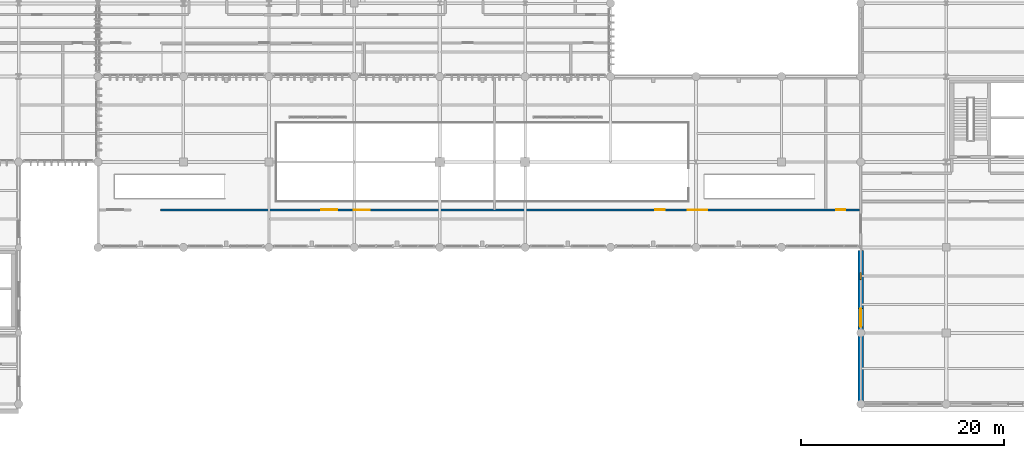
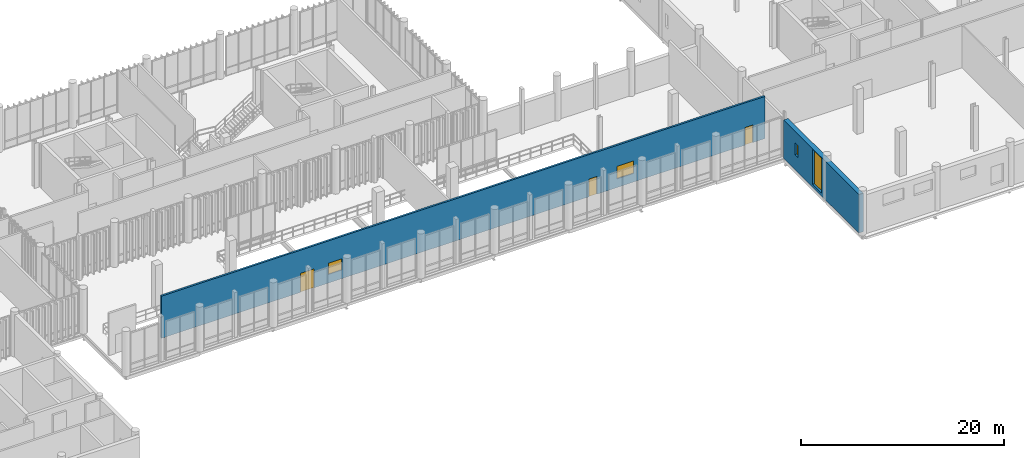
# One storey, part 107 of 128: 4 windows, 3 doors, 2 walls, 7 openings.
"""IFC4 building model written with IfcOpenShell, lengths in metres."""

import ifcopenshell
import ifcopenshell.guid

model = None  # the IFC model being written
_history = None  # IfcOwnerHistory: only IFC2X3 demands one
_inside = {}  # id of a spatial element -> (the spatial element, [elements in it])
_under = {}  # id of a project, library or spatial element -> (it, [spatial elements below it])
_declared = {}  # id of a project -> (the project, [libraries it declares])
_typed = {}  # id of a type object -> (the type object, [elements of that type])
_made_of = {}  # id of a material, layer set ... -> (it, [elements and type objects made of it])


def new_model(schema):
    """Start an empty IFC model of exactly this schema.

    Asked for "IFC4X3", IfcOpenShell would pick the latest addendum, in which some entities
    have other attributes; the version numbers below select the first issue.
    IFC2X3 requires an IfcOwnerHistory on every rooted entity: one is made here for all.
    """
    global model, _history
    if schema == "IFC4X3":
        model = ifcopenshell.file(schema_version=(4, 3, 0, 0))
    else:
        model = ifcopenshell.file(schema=schema)
    _inside.clear()
    _under.clear()
    _declared.clear()
    _typed.clear()
    _made_of.clear()
    _history = None
    if model.schema == "IFC2X3":
        org = make("IfcOrganization", Name="unknown")
        user = make(
            "IfcPersonAndOrganization",
            ThePerson=make("IfcPerson", FamilyName="unknown"),
            TheOrganization=org,
        )
        app = make(
            "IfcApplication",
            ApplicationDeveloper=org,
            Version="unknown",
            ApplicationFullName="unknown",
            ApplicationIdentifier="unknown",
        )
        _history = make(
            "IfcOwnerHistory",
            OwningUser=user,
            OwningApplication=app,
            ChangeAction="ADDED",
            CreationDate=0,
        )
    return model


def make(cls, **values):
    """One entity of the class cls with the attributes given. An attribute that is None is left unset."""
    return model.create_entity(
        cls, **{name: value for name, value in values.items() if value is not None}
    )


def rooted(cls, **values):
    """An entity with a GlobalId (a new one), such as an element, a storey or a relation."""
    return make(cls, GlobalId=ifcopenshell.guid.new(), OwnerHistory=_history, **values)


def si_unit(unit_type, name, prefix=None):
    """IfcSIUnit, for example si_unit("LENGTHUNIT", "METRE", prefix="MILLI")."""
    return make("IfcSIUnit", UnitType=unit_type, Prefix=prefix, Name=name)


def assignment(units):
    """IfcUnitAssignment: the units of a project."""
    return None if units is None else make("IfcUnitAssignment", Units=units)


def point(xyz):
    """IfcCartesianPoint."""
    return None if xyz is None else make("IfcCartesianPoint", Coordinates=xyz)


def direction(xyz):
    """IfcDirection."""
    return None if xyz is None else make("IfcDirection", DirectionRatios=xyz)


def frame(location, z_axis=None, x_axis=None):
    """IfcAxis2Placement3D, a coordinate frame: its origin and axes. An axis left out is left unset."""
    return make(
        "IfcAxis2Placement3D",
        Location=point(location),
        Axis=direction(z_axis),
        RefDirection=direction(x_axis),
    )


def frame_2d(location, x_axis=None):
    """IfcAxis2Placement2D, a coordinate frame in the plane: its origin and x axis."""
    return make(
        "IfcAxis2Placement2D", Location=point(location), RefDirection=direction(x_axis)
    )


def origin_with_axes():
    """The frame at (0, 0, 0) with the z axis (0, 0, 1) and the x axis (1, 0, 0) written out."""
    return frame((0.0, 0.0, 0.0), z_axis=(0.0, 0.0, 1.0), x_axis=(1.0, 0.0, 0.0))


def place(relative_to, where):
    """IfcLocalPlacement: puts the frame where relative to a parent placement (None: the world)."""
    return make(
        "IfcLocalPlacement", PlacementRelTo=relative_to, RelativePlacement=where
    )


def context(
    kind, dimensions, precision=None, world=None, true_north=None, identifier=None
):
    """IfcGeometricRepresentationContext, for example the 3D "Model" context."""
    return make(
        "IfcGeometricRepresentationContext",
        ContextIdentifier=identifier,
        ContextType=kind,
        CoordinateSpaceDimension=dimensions,
        Precision=precision,
        WorldCoordinateSystem=world,
        TrueNorth=true_north,
    )


def subcontext(parent, identifier, kind, view, scale=None):
    """IfcGeometricRepresentationSubContext, for example "Body" below "Model"."""
    return make(
        "IfcGeometricRepresentationSubContext",
        ContextIdentifier=identifier,
        ContextType=kind,
        ParentContext=parent,
        TargetScale=scale,
        TargetView=view,
    )


def project(units=None, contexts=None):
    """IfcProject with its units and contexts."""
    return rooted(
        "IfcProject",
        Name="project",
        RepresentationContexts=contexts,
        UnitsInContext=assignment(units),
    )


def spatial(cls, under=None, at=None, **own):
    """A site, building, storey or space (cls), placed at a placement, below another one or the project."""
    s = rooted(cls, ObjectPlacement=at, **own)
    if under is not None:
        _under.setdefault(under.id(), (under, []))[1].append(s)
    return s


def profile(cls, at=None, kind="AREA", **sizes):
    """A parametric profile (cls). Its sizes go by their IFC names, for example OverallWidth=200.0."""
    return make(cls, ProfileType=kind, Position=at, **sizes)


def rectangle(**sizes):
    """IfcRectangleProfileDef."""
    return profile("IfcRectangleProfileDef", **sizes)


def extrude(swept, where, along, depth):
    """IfcExtrudedAreaSolid: the profile swept, set in the frame where, extruded along a direction by depth."""
    return make(
        "IfcExtrudedAreaSolid",
        SweptArea=swept,
        Position=where,
        ExtrudedDirection=direction(along),
        Depth=depth,
    )


def shape(context_of_items, identifier, shape_type, items):
    """IfcShapeRepresentation: the items that make up one representation, for example the "Body"."""
    return make(
        "IfcShapeRepresentation",
        ContextOfItems=context_of_items,
        RepresentationIdentifier=identifier,
        RepresentationType=shape_type,
        Items=items,
    )


def material(Name=None, Category=None):
    """IfcMaterial."""
    return make("IfcMaterial", Name=Name, Category=Category)


def layer(
    of_material, thickness, ventilated=None, Name=None, Category=None, Priority=None
):
    """IfcMaterialLayer: one layer of a wall or slab, of a material (None: an air gap)."""
    return make(
        "IfcMaterialLayer",
        Material=of_material,
        LayerThickness=thickness,
        IsVentilated=ventilated,
        Name=Name,
        Category=Category,
        Priority=Priority,
    )


def layer_set(layers, Name=None):
    """IfcMaterialLayerSet."""
    return make("IfcMaterialLayerSet", MaterialLayers=layers, LayerSetName=Name)


def made_of(thing, what):
    """Note that an element or type object is made of a material, layer set ...; save() writes the relation."""
    if what is not None:
        _made_of.setdefault(what.id(), (what, []))[1].append(thing)
    return thing


def type_object(cls, material=None, **own):
    """A type object (cls), such as IfcWallType, which elements share."""
    return made_of(rooted(cls, **own), material)


def element(
    cls,
    number,
    at=None,
    inside=None,
    cuts=None,
    type_object=None,
    material=None,
    context=None,
    identifier="Body",
    shape_type=None,
    held_by="IfcProductDefinitionShape",
    body=None,
    shapes=None,
    **own,
):
    """One element of the class cls, such as IfcWall. Its Tag is "e" and its number.

    at: its placement. inside: the storey or other place that contains it. cuts: it is an
    opening in that element (IfcRelVoidsElement). A single representation is given by context,
    identifier, shape_type and body (its items); several are given by shapes. held_by: the class
    of the entity that holds the representations. save() writes the other relations.
    """
    e = rooted(cls, Tag="e%d" % number, ObjectPlacement=at, **own)
    if body is not None:
        shapes = [shape(context, identifier, shape_type, body)]
    if shapes is not None:
        e.Representation = make(held_by, Representations=shapes)
    if inside is not None:
        _inside.setdefault(inside.id(), (inside, []))[1].append(e)
    if cuts is not None:
        rooted(
            "IfcRelVoidsElement", RelatingBuildingElement=cuts, RelatedOpeningElement=e
        )
    if type_object is not None:
        _typed.setdefault(type_object.id(), (type_object, []))[1].append(e)
    return made_of(e, material)


def fill(opening, filler):
    """IfcRelFillsElement: the door or window that sits in an opening."""
    return rooted(
        "IfcRelFillsElement",
        RelatingOpeningElement=opening,
        RelatedBuildingElement=filler,
    )


def aggregate(whole, parts):
    """IfcRelAggregates: a whole, such as a stair, and the parts it consists of."""
    return rooted("IfcRelAggregates", RelatingObject=whole, RelatedObjects=parts)


def save(model, path):
    """Write the relations noted so far, then the file.

    IfcRelAggregates (storeys below a building ...), IfcRelContainedInSpatialStructure (elements
    in a storey), IfcRelDefinesByType, IfcRelAssociatesMaterial and IfcRelDeclares: one each for
    every whole, place, type object, material and project.
    """
    for whole, parts in _under.values():
        aggregate(whole, parts)
    for where, things in _inside.values():
        rooted(
            "IfcRelContainedInSpatialStructure",
            RelatedElements=things,
            RelatingStructure=where,
        )
    for kind, things in _typed.values():
        rooted("IfcRelDefinesByType", RelatedObjects=things, RelatingType=kind)
    for what, things in _made_of.values():
        rooted("IfcRelAssociatesMaterial", RelatedObjects=things, RelatingMaterial=what)
    for by, libraries in _declared.values():
        rooted("IfcRelDeclares", RelatingContext=by, RelatedDefinitions=libraries)
    model.write(path)


model = new_model("IFC4")

# Units and contexts
model_context = context("Model", 3, precision=1e-05, world=origin_with_axes(), true_north=direction((0.0, 1.0)))
body_context = subcontext(model_context, "Body", "Model", "MODEL_VIEW")
ifc_project = project(units=[si_unit("LENGTHUNIT", "METRE"), si_unit("AREAUNIT", "SQUARE_METRE"), si_unit("VOLUMEUNIT", "CUBIC_METRE"), si_unit("PLANEANGLEUNIT", "RADIAN"), si_unit("MASSUNIT", "GRAM", prefix="KILO"), si_unit("THERMODYNAMICTEMPERATUREUNIT", "KELVIN")], contexts=[model_context])

# Site, building, storey
site_placement = place(None, origin_with_axes())
site = spatial("IfcSite", under=ifc_project, at=site_placement, CompositionType="ELEMENT")
building_placement = place(site_placement, origin_with_axes())
building = spatial("IfcBuilding", under=site, at=building_placement, Name="Montbau Bow Law Courts", CompositionType="ELEMENT")
storey_placement = place(building_placement, frame((0.0, 0.0, 5.4), z_axis=(0.0, 0.0, 1.0), x_axis=(1.0, 0.0, 0.0)))
storey = spatial("IfcBuildingStorey", under=building, at=storey_placement, Name="L01", CompositionType="ELEMENT", Elevation=5.4)

# Wall, openings, windows
ifc_material_1 = material(Name="Canmore Rundlestone Plinth Masonry on Concrete Backing CSA A23.1 f'c 35 MPa", Category="masonry")
ifc_layer_1 = layer(ifc_material_1, 0.52, Name="Solid Wall", Category="masonry")
ifc_layer_set_1 = layer_set([ifc_layer_1], Name="Canmore Rundlestone Plinth Masonry on Concrete Backing CSA A23.1 f'c 35 MPa")
wall_type_1 = type_object("IfcWallType", Name="W-EXT-02", PredefinedType="SOLIDWALL", material=ifc_layer_set_1)
wall_1_placement = place(None, frame((121.8, 21.89, 5.4), z_axis=(0.0, 0.0, 1.0), x_axis=(0.0, -1.0, 0.0)))
wall_1 = element("IfcWall", 1, at=wall_1_placement, inside=storey, type_object=wall_type_1, Name="WE-L01-019:wal_0036", PredefinedType="SOLIDWALL", context=body_context, shape_type="SweptSolid", body=[
    extrude(rectangle(XDim=14.830000000000002, YDim=0.52, at=frame_2d((7.415, 0.0), x_axis=(1.0, 0.0))), origin_with_axes(), (0.0, 0.0, 1.0), 4.644),
])
opening_1_placement = place(None, frame((121.8, 19.365, 7.2), z_axis=(0.0, 0.0, 1.0), x_axis=(0.0, -1.0, 0.0)))
opening_1 = element("IfcOpeningElement", 2, at=opening_1_placement, cuts=wall_1, Name="OP-WN-L01-105", PredefinedType="OPENING", context=body_context, shape_type="SweptSolid", body=[
    extrude(rectangle(XDim=0.65, YDim=1.45, at=frame_2d((0.0, 0.725), x_axis=(1.0, 0.0))), frame((0.0, 0.27, 0.0), z_axis=(0.0, -1.0, 0.0), x_axis=(1.0, 0.0, 0.0)), (0.0, 0.0, 1.0), 0.54),
])
opening_2_placement = place(None, frame((121.8, 15.29, 5.75), z_axis=(0.0, 0.0, 1.0), x_axis=(0.0, -1.0, 0.0)))
opening_2 = element("IfcOpeningElement", 3, at=opening_2_placement, cuts=wall_1, Name="OP-WN-L01-106", PredefinedType="OPENING", context=body_context, shape_type="SweptSolid", body=[
    extrude(rectangle(XDim=1.8, YDim=4.2, at=frame_2d((0.0, 2.1), x_axis=(1.0, 0.0))), frame((0.0, 0.27, 0.0), z_axis=(0.0, -1.0, 0.0), x_axis=(1.0, 0.0, 0.0)), (0.0, 0.0, 1.0), 0.54),
])
ifc_material_2 = material(Name="Triple-Glazed Low-E Argon Insulating Glass Unit", Category="glass")
window_type_1 = type_object("IfcWindowType", Name="WN-CER-01", ParameterTakesPrecedence=False, PartitioningType="SINGLE_PANEL", PredefinedType="WINDOW", material=ifc_material_2)
window_1_placement = place(None, frame((121.8, 15.29, 5.75), z_axis=(0.0, 0.0, 1.0), x_axis=(0.0, -1.0, 0.0)))
window_1 = element("IfcWindow", 4, at=window_1_placement, inside=storey, type_object=window_type_1, Name="WN-L01-106:win_0106", OverallHeight=4.2, OverallWidth=1.8, PartitioningType="SINGLE_PANEL", PredefinedType="WINDOW", context=body_context, shape_type="SweptSolid", body=[
    extrude(rectangle(XDim=1.8, YDim=4.2, at=frame_2d((0.0, 2.1), x_axis=(1.0, 0.0))), frame((0.0, 0.03, 0.0), z_axis=(0.0, -1.0, 0.0), x_axis=(1.0, 0.0, 0.0)), (0.0, 0.0, 1.0), 0.06),
])
fill(opening_2, window_1)
ifc_material_3 = material(Name="Laminated Ballistic-Resistant Triple Security Glazing", Category="glass")
window_type_2 = type_object("IfcWindowType", Name="WN-CUS-03", ParameterTakesPrecedence=False, PartitioningType="SINGLE_PANEL", PredefinedType="WINDOW", material=ifc_material_3)
window_2_placement = place(None, frame((121.8, 19.365, 7.2), z_axis=(0.0, 0.0, 1.0), x_axis=(0.0, -1.0, 0.0)))
window_2 = element("IfcWindow", 5, at=window_2_placement, inside=storey, type_object=window_type_2, Name="WN-L01-105:win_0105", OverallHeight=1.45, OverallWidth=0.65, PartitioningType="SINGLE_PANEL", PredefinedType="WINDOW", context=body_context, shape_type="SweptSolid", body=[
    extrude(rectangle(XDim=0.65, YDim=1.45, at=frame_2d((0.0, 0.725), x_axis=(1.0, 0.0))), frame((0.0, 0.03, 0.0), z_axis=(0.0, -1.0, 0.0), x_axis=(1.0, 0.0, 0.0)), (0.0, 0.0, 1.0), 0.06),
])
fill(opening_1, window_2)

# Wall, openings, doors, windows
ifc_material_4 = material(Name="STC-60 High-Acoustic Courtroom Perimeter Partition", Category="gypsum")
ifc_layer_2 = layer(ifc_material_4, 0.22, Name="Partition", Category="gypsum")
ifc_layer_set_2 = layer_set([ifc_layer_2], Name="STC-60 High-Acoustic Courtroom Perimeter Partition")
wall_type_2 = type_object("IfcWallType", Name="W-PRT-02", PredefinedType="PARTITIONING", material=ifc_layer_set_2)
wall_2_placement = place(None, frame((52.95, 25.89, 5.4), z_axis=(0.0, 0.0, 1.0), x_axis=(1.0, 0.0, 0.0)))
wall_2 = element("IfcWall", 6, at=wall_2_placement, inside=storey, type_object=wall_type_2, Name="WP-L01-0709:wal_0776", PredefinedType="PARTITIONING", context=body_context, shape_type="SweptSolid", body=[
    extrude(rectangle(XDim=68.71, YDim=0.22, at=frame_2d((34.355, 0.0), x_axis=(1.0, 0.0))), origin_with_axes(), (0.0, 0.0, 1.0), 5.08),
])
opening_3_placement = place(None, frame((69.532, 25.89, 5.4), z_axis=(0.0, 0.0, 1.0), x_axis=(1.0, 0.0, 0.0)))
opening_3 = element("IfcOpeningElement", 7, at=opening_3_placement, cuts=wall_2, Name="OP-D-L01-287", PredefinedType="OPENING", context=body_context, shape_type="SweptSolid", body=[
    extrude(rectangle(XDim=1.56, YDim=2.28, at=frame_2d((0.0, 1.14), x_axis=(1.0, 0.0))), frame((0.0, 0.12, 0.0), z_axis=(0.0, -1.0, 0.0), x_axis=(1.0, 0.0, 0.0)), (0.0, 0.0, 1.0), 0.24),
])
opening_4_placement = place(None, frame((102.065, 25.89, 5.4), z_axis=(0.0, 0.0, 1.0), x_axis=(1.0, 0.0, 0.0)))
opening_4 = element("IfcOpeningElement", 8, at=opening_4_placement, cuts=wall_2, Name="OP-D-L01-288", PredefinedType="OPENING", context=body_context, shape_type="SweptSolid", body=[
    extrude(rectangle(XDim=0.92, YDim=2.14, at=frame_2d((0.0, 1.07), x_axis=(1.0, 0.0))), frame((0.0, 0.12, 0.0), z_axis=(0.0, -1.0, 0.0), x_axis=(1.0, 0.0, 0.0)), (0.0, 0.0, 1.0), 0.24),
])
opening_5_placement = place(None, frame((119.838, 25.89, 5.4), z_axis=(0.0, 0.0, 1.0), x_axis=(1.0, 0.0, 0.0)))
opening_5 = element("IfcOpeningElement", 9, at=opening_5_placement, cuts=wall_2, Name="OP-D-L01-289", PredefinedType="OPENING", context=body_context, shape_type="SweptSolid", body=[
    extrude(rectangle(XDim=0.91, YDim=2.12, at=frame_2d((0.0, 1.06), x_axis=(1.0, 0.0))), frame((0.0, 0.12, 0.0), z_axis=(0.0, -1.0, 0.0), x_axis=(1.0, 0.0, 0.0)), (0.0, 0.0, 1.0), 0.24),
])
opening_6_placement = place(None, frame((72.727, 25.89, 6.45), z_axis=(0.0, 0.0, 1.0), x_axis=(1.0, 0.0, 0.0)))
opening_6 = element("IfcOpeningElement", 10, at=opening_6_placement, cuts=wall_2, Name="OP-WI-L01-12", PredefinedType="OPENING", context=body_context, shape_type="SweptSolid", body=[
    extrude(rectangle(XDim=1.55, YDim=1.35, at=frame_2d((0.0, 0.675), x_axis=(1.0, 0.0))), frame((0.0, 0.12, 0.0), z_axis=(0.0, -1.0, 0.0), x_axis=(1.0, 0.0, 0.0)), (0.0, 0.0, 1.0), 0.24),
])
opening_7_placement = place(None, frame((105.755, 25.89, 6.45), z_axis=(0.0, 0.0, 1.0), x_axis=(1.0, 0.0, 0.0)))
opening_7 = element("IfcOpeningElement", 11, at=opening_7_placement, cuts=wall_2, Name="OP-WI-L01-13", PredefinedType="OPENING", context=body_context, shape_type="SweptSolid", body=[
    extrude(rectangle(XDim=1.9, YDim=1.5, at=frame_2d((0.0, 0.75), x_axis=(1.0, 0.0))), frame((0.0, 0.12, 0.0), z_axis=(0.0, -1.0, 0.0), x_axis=(1.0, 0.0, 0.0)), (0.0, 0.0, 1.0), 0.24),
])
ifc_material_5 = material(Name="Judicial Law Clerk and Registry Office Oak Door", Category="wood")
door_type_1 = type_object("IfcDoorType", Name="D-OFF-01", OperationType="NOTDEFINED", ParameterTakesPrecedence=False, PredefinedType="DOOR", material=ifc_material_5)
door_1_placement = place(None, frame((102.065, 25.89, 5.4), z_axis=(0.0, 0.0, 1.0), x_axis=(-1.0, 0.0, 0.0)))
door_1 = element("IfcDoor", 12, at=door_1_placement, inside=storey, type_object=door_type_1, Name="D-L01-288:dor_0323", OperationType="SINGLE_SWING_LEFT", OverallHeight=2.14, OverallWidth=0.92, PredefinedType="DOOR", context=body_context, shape_type="SweptSolid", body=[
    extrude(rectangle(XDim=0.92, YDim=2.14, at=frame_2d((0.0, 1.07), x_axis=(1.0, 0.0))), frame((0.0, 0.04, 0.0), z_axis=(0.0, -1.0, 0.0), x_axis=(1.0, 0.0, 0.0)), (0.0, 0.0, 1.0), 0.08),
])
fill(opening_4, door_1)
ifc_material_6 = material(Name="Case Registry Counter Suite Double Door", Category="wood")
door_type_2 = type_object("IfcDoorType", Name="D-REG-01", OperationType="NOTDEFINED", ParameterTakesPrecedence=False, PredefinedType="DOOR", material=ifc_material_6)
door_2_placement = place(None, frame((69.532, 25.89, 5.4), z_axis=(0.0, 0.0, 1.0), x_axis=(-1.0, 0.0, 0.0)))
door_2 = element("IfcDoor", 13, at=door_2_placement, inside=storey, type_object=door_type_2, Name="D-L01-287:dor_0322", OperationType="DOUBLE_DOOR_SINGLE_SWING", OverallHeight=2.28, OverallWidth=1.56, PredefinedType="DOOR", context=body_context, shape_type="SweptSolid", body=[
    extrude(rectangle(XDim=1.56, YDim=2.28, at=frame_2d((0.0, 1.14), x_axis=(1.0, 0.0))), frame((0.0, 0.04, 0.0), z_axis=(0.0, -1.0, 0.0), x_axis=(1.0, 0.0, 0.0)), (0.0, 0.0, 1.0), 0.08),
])
fill(opening_3, door_2)
ifc_material_7 = material(Name="Public and Judicial Washroom Solid-Core Door", Category="wood")
door_type_3 = type_object("IfcDoorType", Name="D-WC-02", OperationType="NOTDEFINED", ParameterTakesPrecedence=False, PredefinedType="DOOR", material=ifc_material_7)
door_3_placement = place(None, frame((119.838, 25.89, 5.4), z_axis=(0.0, 0.0, 1.0), x_axis=(-1.0, 0.0, 0.0)))
door_3 = element("IfcDoor", 14, at=door_3_placement, inside=storey, type_object=door_type_3, Name="D-L01-289:dor_0324", OperationType="SINGLE_SWING_RIGHT", OverallHeight=2.12, OverallWidth=0.91, PredefinedType="DOOR", context=body_context, shape_type="SweptSolid", body=[
    extrude(rectangle(XDim=0.91, YDim=2.12, at=frame_2d((0.0, 1.06), x_axis=(1.0, 0.0))), frame((0.0, 0.04, 0.0), z_axis=(0.0, -1.0, 0.0), x_axis=(1.0, 0.0, 0.0)), (0.0, 0.0, 1.0), 0.08),
])
fill(opening_5, door_3)
ifc_material_8 = material(Name="Fire-Rated Acoustic Borrowed-Light Interior Glazing", Category="glass")
window_type_3 = type_object("IfcWindowType", Name="WN-INT-01", ParameterTakesPrecedence=False, PartitioningType="SINGLE_PANEL", PredefinedType="WINDOW", material=ifc_material_8)
window_3_placement = place(None, frame((105.755, 25.89, 6.45), z_axis=(0.0, 0.0, 1.0), x_axis=(1.0, 0.0, 0.0)))
window_3 = element("IfcWindow", 15, at=window_3_placement, inside=storey, type_object=window_type_3, Name="WI-L01-13:win_0135", OverallHeight=1.5, OverallWidth=1.9, PartitioningType="SINGLE_PANEL", PredefinedType="WINDOW", context=body_context, shape_type="SweptSolid", body=[
    extrude(rectangle(XDim=1.9, YDim=1.5, at=frame_2d((0.0, 0.75), x_axis=(1.0, 0.0))), frame((0.0, 0.03, 0.0), z_axis=(0.0, -1.0, 0.0), x_axis=(1.0, 0.0, 0.0)), (0.0, 0.0, 1.0), 0.06),
])
fill(opening_7, window_3)
ifc_material_9 = material(Name="Registry Counter Security Pass-Through Glazing", Category="glass")
window_type_4 = type_object("IfcWindowType", Name="WN-INT-02", ParameterTakesPrecedence=False, PartitioningType="SINGLE_PANEL", PredefinedType="WINDOW", material=ifc_material_9)
window_4_placement = place(None, frame((72.727, 25.89, 6.45), z_axis=(0.0, 0.0, 1.0), x_axis=(1.0, 0.0, 0.0)))
window_4 = element("IfcWindow", 16, at=window_4_placement, inside=storey, type_object=window_type_4, Name="WI-L01-12:win_0134", OverallHeight=1.35, OverallWidth=1.55, PartitioningType="SINGLE_PANEL", PredefinedType="WINDOW", context=body_context, shape_type="SweptSolid", body=[
    extrude(rectangle(XDim=1.55, YDim=1.35, at=frame_2d((0.0, 0.675), x_axis=(1.0, 0.0))), frame((0.0, 0.03, 0.0), z_axis=(0.0, -1.0, 0.0), x_axis=(1.0, 0.0, 0.0)), (0.0, 0.0, 1.0), 0.06),
])
fill(opening_6, window_4)

save(model, "model.ifc")
